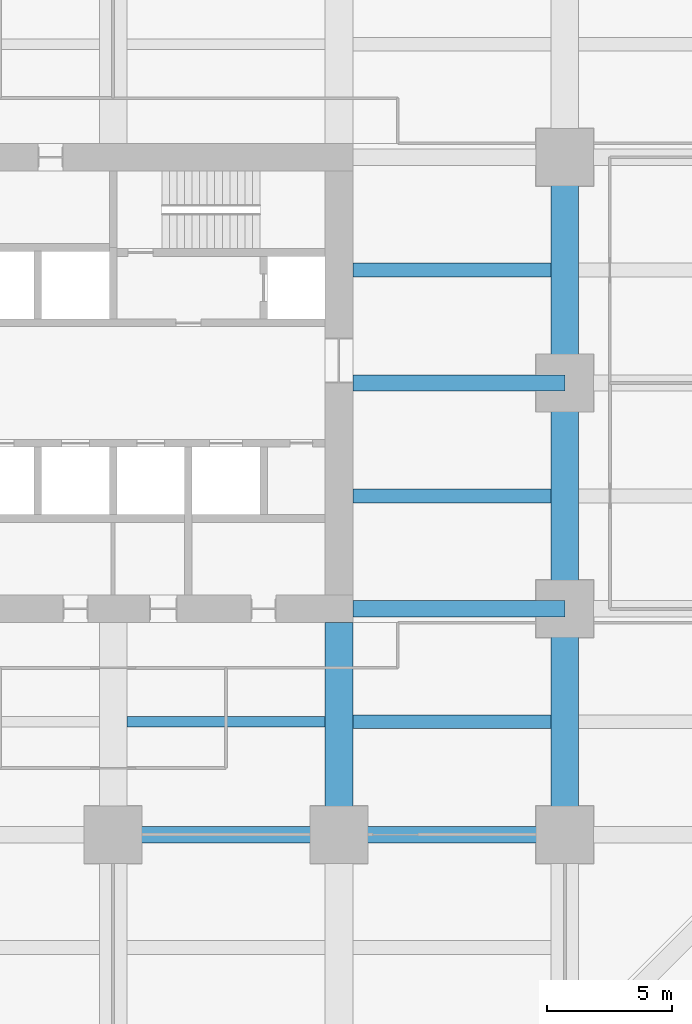
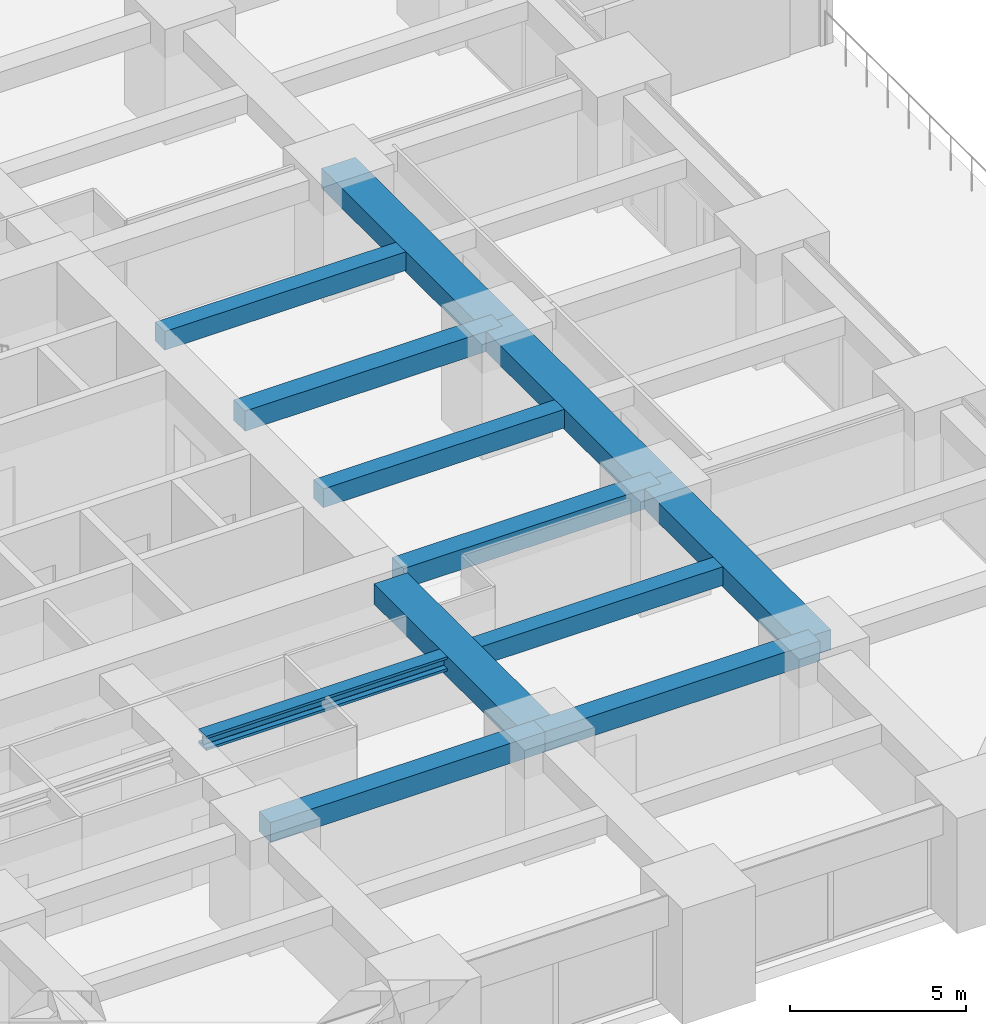
# One storey, part 14 of 38: 12 beams.
"""IFC4 building model written with IfcOpenShell, lengths in metres."""

from ifc_helpers import new_model, si_unit, direction, frame, origin, origin_2d, place, context, subcontext, project, spatial, rectangle, i_section, extrude, material, material_profile, profile_set, type_object, element, save


model = new_model("IFC4")

# Units and contexts
model_context = context("Model", 3, precision=1e-05, world=origin(), true_north=direction((0.0, 1.0)))
body_context = subcontext(model_context, "Body", "Model", "MODEL_VIEW")
ifc_project = project(units=[si_unit("LENGTHUNIT", "METRE"), si_unit("AREAUNIT", "SQUARE_METRE"), si_unit("VOLUMEUNIT", "CUBIC_METRE"), si_unit("PLANEANGLEUNIT", "RADIAN"), si_unit("MASSUNIT", "GRAM", prefix="KILO")], contexts=[model_context])

# Site, building, storey
site_placement = place(None, origin())
site = spatial("IfcSite", under=ifc_project, at=site_placement, CompositionType="ELEMENT")
building_placement = place(site_placement, origin())
building = spatial("IfcBuilding", under=site, at=building_placement, Name="Zorevar Civic Tower", CompositionType="ELEMENT")
storey_placement = place(building_placement, frame((0.0, 0.0, 15.800048828125)))
storey = spatial("IfcBuildingStorey", under=building, at=storey_placement, Name="L03", CompositionType="ELEMENT", Elevation=15.800048828125)

# Beams
ifc_material_1 = material(Name="Concrete C50/60", Category="concrete")
ifc_material_profile_1 = material_profile(ifc_material_1, rectangle(XDim=1.10009765625, YDim=0.699951171875, at=origin_2d()), Name="RC 1100x700")
ifc_profile_set_1 = profile_set([ifc_material_profile_1], Name="Concrete C50/60")
beam_type_1 = type_object("IfcBeamType", Name="Beam RC 1100x700", PredefinedType="BEAM", material=ifc_profile_set_1)
beam_1_placement = place(storey_placement, frame((45.0, 9.0, 3.39990234375), z_axis=(0.0, 1.0, 0.0), x_axis=(-1.0, 0.0, 0.0)))
element("IfcBeam", 1, at=beam_1_placement, inside=storey, type_object=beam_type_1, Name="Girder L04", PredefinedType="BEAM", context=body_context, shape_type="SweptSolid", body=[
    extrude(rectangle(XDim=1.10009765625, YDim=0.699951171875, at=origin_2d()), origin(), (0.0, 0.0, 1.0), 8.449951171875),
])
for number, where, z_axis, x_axis, name in (
    (2, (54.0, 9.0, 3.39990234375), (0.0, 1.0, 0.0), (-1.0, 0.0, 0.0), "Girder L04"),
    (3, (54.0, 18.0, 3.39990234375), (0.0, 1.0, 0.0), (-1.0, 0.0, 0.0), "Girder L04"),
    (4, (54.0, 27.0, 3.39990234375), (0.0, 1.0, 0.0), (-1.0, 0.0, 0.0), "Girder L04"),
):
    element("IfcBeam", number, at=place(storey_placement, frame(where, z_axis=z_axis, x_axis=x_axis)), inside=storey, type_object=beam_type_1, Name=name, PredefinedType="BEAM", context=body_context, shape_type="SweptSolid", body=[
        extrude(rectangle(XDim=1.10009765625, YDim=0.699951171875, at=origin_2d()), origin(), (0.0, 0.0, 1.0), 9.0),
    ])
ifc_material_2 = material(Name="Concrete C50/60", Category="concrete")
ifc_material_profile_2 = material_profile(ifc_material_2, rectangle(XDim=0.550048828125, YDim=0.64990234375, at=origin_2d()), Name="RC 550x650")
ifc_profile_set_2 = profile_set([ifc_material_profile_2], Name="Concrete C50/60")
beam_type_2 = type_object("IfcBeamType", Name="Beam RC 550x650", PredefinedType="BEAM", material=ifc_profile_set_2)
for number, where, z_axis, x_axis, name in (
    (5, (45.550048828125, 13.5, 3.425048828125), (1.0, 0.0, 0.0), (0.0, 1.0, 0.0), "Secondary beam L04"),
    (6, (45.550048828125, 22.5, 3.425048828125), (1.0, 0.0, 0.0), (0.0, 1.0, 0.0), "Secondary beam L04"),
    (7, (45.550048828125, 31.5, 3.425048828125), (1.0, 0.0, 0.0), (0.0, 1.0, 0.0), "Secondary beam L04"),
):
    element("IfcBeam", number, at=place(storey_placement, frame(where, z_axis=z_axis, x_axis=x_axis)), inside=storey, type_object=beam_type_2, Name=name, PredefinedType="BEAM", context=body_context, shape_type="SweptSolid", body=[
        extrude(rectangle(XDim=0.550048828125, YDim=0.64990234375, at=origin_2d()), origin(), (0.0, 0.0, 1.0), 7.89990234375),
    ])
ifc_material_3 = material(Name="Concrete C50/60", Category="concrete")
ifc_material_profile_3 = material_profile(ifc_material_3, rectangle(XDim=0.64990234375, YDim=0.699951171875, at=origin_2d()), Name="RC 650x700")
ifc_profile_set_3 = profile_set([ifc_material_profile_3], Name="Concrete C50/60")
beam_type_3 = type_object("IfcBeamType", Name="Beam RC 650x700", PredefinedType="BEAM", material=ifc_profile_set_3)
for number, where, z_axis, x_axis, name in (
    (8, (36.0, 9.0, 3.39990234375), (1.0, 0.0, 0.0), (0.0, 1.0, 0.0), "Girder L04"),
    (9, (45.0, 9.0, 3.39990234375), (1.0, 0.0, 0.0), (0.0, 1.0, 0.0), "Girder L04"),
):
    element("IfcBeam", number, at=place(storey_placement, frame(where, z_axis=z_axis, x_axis=x_axis)), inside=storey, type_object=beam_type_3, Name=name, PredefinedType="BEAM", context=body_context, shape_type="SweptSolid", body=[
        extrude(rectangle(XDim=0.64990234375, YDim=0.699951171875, at=origin_2d()), origin(), (0.0, 0.0, 1.0), 9.0),
    ])
for number, where, z_axis, x_axis, name in (
    (10, (45.550048828125, 18.0, 3.39990234375), (1.0, 0.0, 0.0), (0.0, 1.0, 0.0), "Girder L04"),
    (11, (45.550048828125, 27.0, 3.39990234375), (1.0, 0.0, 0.0), (0.0, 1.0, 0.0), "Girder L04"),
):
    element("IfcBeam", number, at=place(storey_placement, frame(where, z_axis=z_axis, x_axis=x_axis)), inside=storey, type_object=beam_type_3, Name=name, PredefinedType="BEAM", context=body_context, shape_type="SweptSolid", body=[
        extrude(rectangle(XDim=0.64990234375, YDim=0.699951171875, at=origin_2d()), origin(), (0.0, 0.0, 1.0), 8.449951171875),
    ])
ifc_material_4 = material(Name="Steel S460M (HISTAR 460)", Category="steel")
ifc_material_profile_4 = material_profile(ifc_material_4, i_section(OverallWidth=0.431884765625, OverallDepth=0.498046875, WebThickness=0.0556640625, FlangeThickness=0.0888671875, FilletRadius=0.014892578125, at=origin_2d()), Name="HD 400x744")
ifc_profile_set_4 = profile_set([ifc_material_profile_4], Name="Steel S460M (HISTAR 460)")
beam_type_4 = type_object("IfcBeamType", Name="Core bay beam HD 400x744", PredefinedType="BEAM", material=ifc_profile_set_4)
beam_2_placement = place(storey_placement, frame((36.550048828125, 13.5, 3.5009765625), z_axis=(1.0, 0.0, 0.0), x_axis=(0.0, 1.0, 0.0)))
element("IfcBeam", 12, at=beam_2_placement, inside=storey, type_object=beam_type_4, Name="Secondary beam L04", PredefinedType="BEAM", context=body_context, shape_type="SweptSolid", body=[
    extrude(i_section(OverallWidth=0.431884765625, OverallDepth=0.498046875, WebThickness=0.0556640625, FlangeThickness=0.0888671875, FilletRadius=0.014892578125, at=origin_2d()), origin(), (0.0, 0.0, 1.0), 7.89990234375),
])

save(model, "model.ifc")
